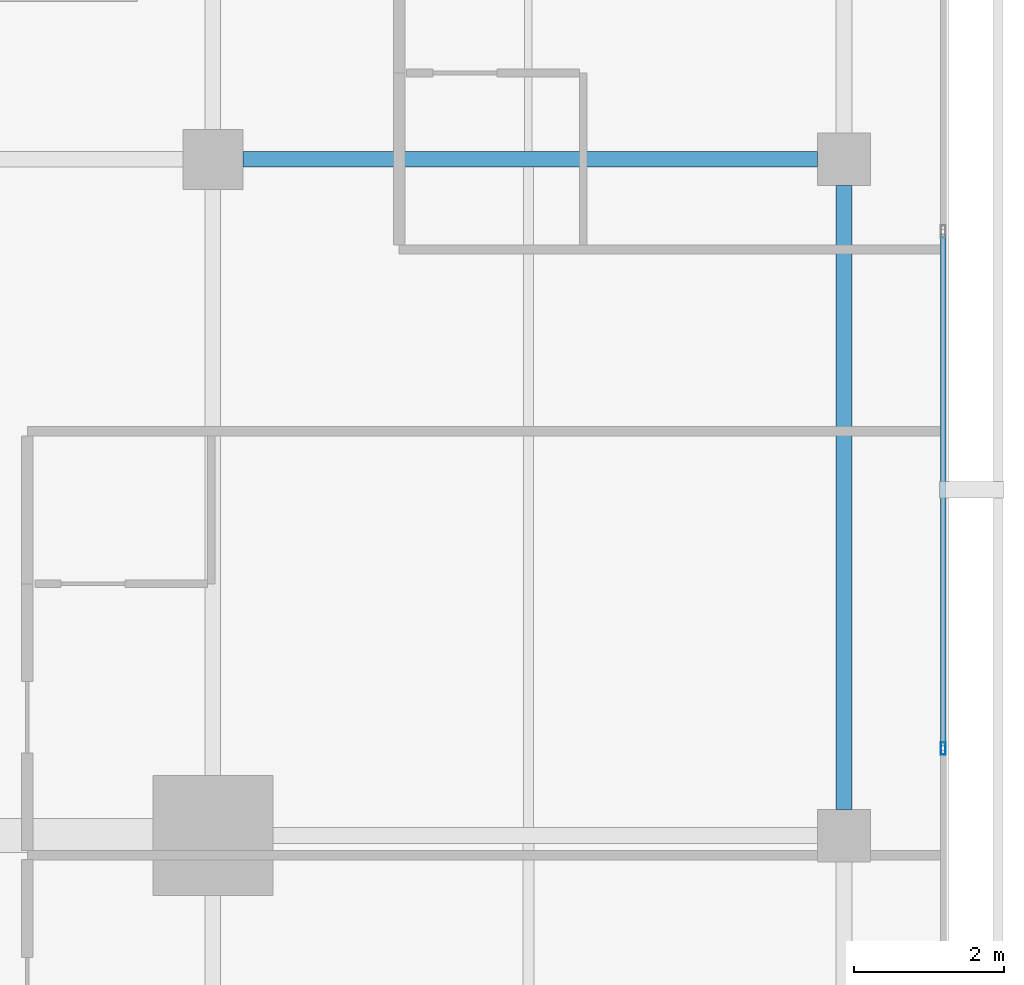
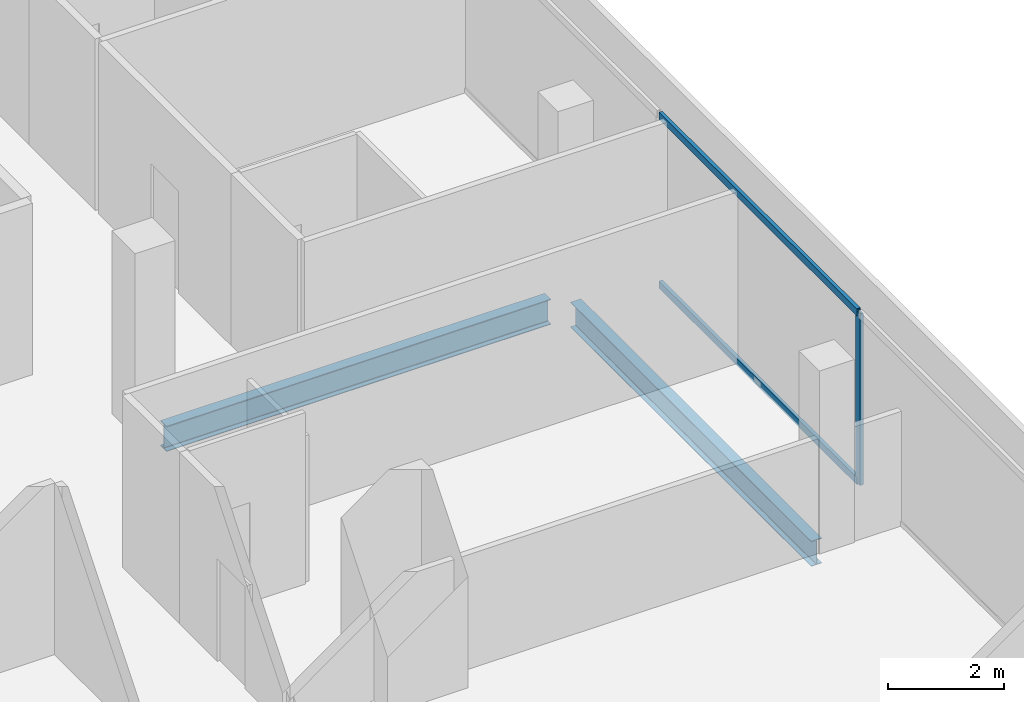
# One storey, part 14 of 25: 3 members, 2 beams, 1 element without a shape of its own.
"""IFC4 building model written with IfcOpenShell, lengths in metres."""

import ifcopenshell
import ifcopenshell.guid

model = None  # the IFC model being written
_history = None  # IfcOwnerHistory: only IFC2X3 demands one
_inside = {}  # id of a spatial element -> (the spatial element, [elements in it])
_under = {}  # id of a project, library or spatial element -> (it, [spatial elements below it])
_declared = {}  # id of a project -> (the project, [libraries it declares])
_typed = {}  # id of a type object -> (the type object, [elements of that type])
_made_of = {}  # id of a material, layer set ... -> (it, [elements and type objects made of it])


def new_model(schema):
    """Start an empty IFC model of exactly this schema.

    Asked for "IFC4X3", IfcOpenShell would pick the latest addendum, in which some entities
    have other attributes; the version numbers below select the first issue.
    IFC2X3 requires an IfcOwnerHistory on every rooted entity: one is made here for all.
    """
    global model, _history
    if schema == "IFC4X3":
        model = ifcopenshell.file(schema_version=(4, 3, 0, 0))
    else:
        model = ifcopenshell.file(schema=schema)
    _inside.clear()
    _under.clear()
    _declared.clear()
    _typed.clear()
    _made_of.clear()
    _history = None
    if model.schema == "IFC2X3":
        org = make("IfcOrganization", Name="unknown")
        user = make(
            "IfcPersonAndOrganization",
            ThePerson=make("IfcPerson", FamilyName="unknown"),
            TheOrganization=org,
        )
        app = make(
            "IfcApplication",
            ApplicationDeveloper=org,
            Version="unknown",
            ApplicationFullName="unknown",
            ApplicationIdentifier="unknown",
        )
        _history = make(
            "IfcOwnerHistory",
            OwningUser=user,
            OwningApplication=app,
            ChangeAction="ADDED",
            CreationDate=0,
        )
    return model


def make(cls, **values):
    """One entity of the class cls with the attributes given. An attribute that is None is left unset."""
    return model.create_entity(
        cls, **{name: value for name, value in values.items() if value is not None}
    )


def rooted(cls, **values):
    """An entity with a GlobalId (a new one), such as an element, a storey or a relation."""
    return make(cls, GlobalId=ifcopenshell.guid.new(), OwnerHistory=_history, **values)


def si_unit(unit_type, name, prefix=None):
    """IfcSIUnit, for example si_unit("LENGTHUNIT", "METRE", prefix="MILLI")."""
    return make("IfcSIUnit", UnitType=unit_type, Prefix=prefix, Name=name)


def assignment(units):
    """IfcUnitAssignment: the units of a project."""
    return None if units is None else make("IfcUnitAssignment", Units=units)


def point(xyz):
    """IfcCartesianPoint."""
    return None if xyz is None else make("IfcCartesianPoint", Coordinates=xyz)


def direction(xyz):
    """IfcDirection."""
    return None if xyz is None else make("IfcDirection", DirectionRatios=xyz)


def frame(location, z_axis=None, x_axis=None):
    """IfcAxis2Placement3D, a coordinate frame: its origin and axes. An axis left out is left unset."""
    return make(
        "IfcAxis2Placement3D",
        Location=point(location),
        Axis=direction(z_axis),
        RefDirection=direction(x_axis),
    )


def frame_2d(location, x_axis=None):
    """IfcAxis2Placement2D, a coordinate frame in the plane: its origin and x axis."""
    return make(
        "IfcAxis2Placement2D", Location=point(location), RefDirection=direction(x_axis)
    )


def origin():
    """The frame at (0, 0, 0) with its axes left unset."""
    return frame((0.0, 0.0, 0.0))


def origin_2d():
    """The frame at (0, 0) in the plane with its x axis left unset."""
    return frame_2d((0.0, 0.0))


def place(relative_to, where):
    """IfcLocalPlacement: puts the frame where relative to a parent placement (None: the world)."""
    return make(
        "IfcLocalPlacement", PlacementRelTo=relative_to, RelativePlacement=where
    )


def context(
    kind, dimensions, precision=None, world=None, true_north=None, identifier=None
):
    """IfcGeometricRepresentationContext, for example the 3D "Model" context."""
    return make(
        "IfcGeometricRepresentationContext",
        ContextIdentifier=identifier,
        ContextType=kind,
        CoordinateSpaceDimension=dimensions,
        Precision=precision,
        WorldCoordinateSystem=world,
        TrueNorth=true_north,
    )


def subcontext(parent, identifier, kind, view, scale=None):
    """IfcGeometricRepresentationSubContext, for example "Body" below "Model"."""
    return make(
        "IfcGeometricRepresentationSubContext",
        ContextIdentifier=identifier,
        ContextType=kind,
        ParentContext=parent,
        TargetScale=scale,
        TargetView=view,
    )


def project(units=None, contexts=None):
    """IfcProject with its units and contexts."""
    return rooted(
        "IfcProject",
        Name="project",
        RepresentationContexts=contexts,
        UnitsInContext=assignment(units),
    )


def spatial(cls, under=None, at=None, **own):
    """A site, building, storey or space (cls), placed at a placement, below another one or the project."""
    s = rooted(cls, ObjectPlacement=at, **own)
    if under is not None:
        _under.setdefault(under.id(), (under, []))[1].append(s)
    return s


def profile(cls, at=None, kind="AREA", **sizes):
    """A parametric profile (cls). Its sizes go by their IFC names, for example OverallWidth=200.0."""
    return make(cls, ProfileType=kind, Position=at, **sizes)


def hollow_rectangle(**sizes):
    """IfcRectangleHollowProfileDef."""
    return profile("IfcRectangleHollowProfileDef", **sizes)


def i_section(**sizes):
    """IfcIShapeProfileDef."""
    return profile("IfcIShapeProfileDef", **sizes)


def extrude(swept, where, along, depth):
    """IfcExtrudedAreaSolid: the profile swept, set in the frame where, extruded along a direction by depth."""
    return make(
        "IfcExtrudedAreaSolid",
        SweptArea=swept,
        Position=where,
        ExtrudedDirection=direction(along),
        Depth=depth,
    )


def shape(context_of_items, identifier, shape_type, items):
    """IfcShapeRepresentation: the items that make up one representation, for example the "Body"."""
    return make(
        "IfcShapeRepresentation",
        ContextOfItems=context_of_items,
        RepresentationIdentifier=identifier,
        RepresentationType=shape_type,
        Items=items,
    )


def material(Name=None, Category=None):
    """IfcMaterial."""
    return make("IfcMaterial", Name=Name, Category=Category)


def layer(
    of_material, thickness, ventilated=None, Name=None, Category=None, Priority=None
):
    """IfcMaterialLayer: one layer of a wall or slab, of a material (None: an air gap)."""
    return make(
        "IfcMaterialLayer",
        Material=of_material,
        LayerThickness=thickness,
        IsVentilated=ventilated,
        Name=Name,
        Category=Category,
        Priority=Priority,
    )


def layer_set(layers, Name=None):
    """IfcMaterialLayerSet."""
    return make("IfcMaterialLayerSet", MaterialLayers=layers, LayerSetName=Name)


def material_profile(
    of_material, cross_section, Name=None, Category=None, Priority=None
):
    """IfcMaterialProfile: a cross section and its material."""
    return make(
        "IfcMaterialProfile",
        Name=Name,
        Material=of_material,
        Profile=cross_section,
        Priority=Priority,
        Category=Category,
    )


def profile_set(profiles, Name=None, composite=None):
    """IfcMaterialProfileSet."""
    return make(
        "IfcMaterialProfileSet",
        Name=Name,
        MaterialProfiles=profiles,
        CompositeProfile=composite,
    )


def made_of(thing, what):
    """Note that an element or type object is made of a material, layer set ...; save() writes the relation."""
    if what is not None:
        _made_of.setdefault(what.id(), (what, []))[1].append(thing)
    return thing


def type_object(cls, material=None, **own):
    """A type object (cls), such as IfcWallType, which elements share."""
    return made_of(rooted(cls, **own), material)


def element(
    cls,
    number,
    at=None,
    inside=None,
    cuts=None,
    type_object=None,
    material=None,
    context=None,
    identifier="Body",
    shape_type=None,
    held_by="IfcProductDefinitionShape",
    body=None,
    shapes=None,
    **own,
):
    """One element of the class cls, such as IfcWall. Its Tag is "e" and its number.

    at: its placement. inside: the storey or other place that contains it. cuts: it is an
    opening in that element (IfcRelVoidsElement). A single representation is given by context,
    identifier, shape_type and body (its items); several are given by shapes. held_by: the class
    of the entity that holds the representations. save() writes the other relations.
    """
    e = rooted(cls, Tag="e%d" % number, ObjectPlacement=at, **own)
    if body is not None:
        shapes = [shape(context, identifier, shape_type, body)]
    if shapes is not None:
        e.Representation = make(held_by, Representations=shapes)
    if inside is not None:
        _inside.setdefault(inside.id(), (inside, []))[1].append(e)
    if cuts is not None:
        rooted(
            "IfcRelVoidsElement", RelatingBuildingElement=cuts, RelatedOpeningElement=e
        )
    if type_object is not None:
        _typed.setdefault(type_object.id(), (type_object, []))[1].append(e)
    return made_of(e, material)


def aggregate(whole, parts):
    """IfcRelAggregates: a whole, such as a stair, and the parts it consists of."""
    return rooted("IfcRelAggregates", RelatingObject=whole, RelatedObjects=parts)


def save(model, path):
    """Write the relations noted so far, then the file.

    IfcRelAggregates (storeys below a building ...), IfcRelContainedInSpatialStructure (elements
    in a storey), IfcRelDefinesByType, IfcRelAssociatesMaterial and IfcRelDeclares: one each for
    every whole, place, type object, material and project.
    """
    for whole, parts in _under.values():
        aggregate(whole, parts)
    for where, things in _inside.values():
        rooted(
            "IfcRelContainedInSpatialStructure",
            RelatedElements=things,
            RelatingStructure=where,
        )
    for kind, things in _typed.values():
        rooted("IfcRelDefinesByType", RelatedObjects=things, RelatingType=kind)
    for what, things in _made_of.values():
        rooted("IfcRelAssociatesMaterial", RelatedObjects=things, RelatingMaterial=what)
    for by, libraries in _declared.values():
        rooted("IfcRelDeclares", RelatingContext=by, RelatedDefinitions=libraries)
    model.write(path)


model = new_model("IFC4")

# Units and contexts
model_context = context("Model", 3, precision=1e-05, world=origin(), true_north=direction((0.0, 1.0)))
body_context = subcontext(model_context, "Body", "Model", "MODEL_VIEW")
ifc_project = project(units=[si_unit("LENGTHUNIT", "METRE"), si_unit("AREAUNIT", "SQUARE_METRE"), si_unit("VOLUMEUNIT", "CUBIC_METRE"), si_unit("PLANEANGLEUNIT", "RADIAN"), si_unit("MASSUNIT", "GRAM", prefix="KILO")], contexts=[model_context])

# Site, building, storey
site_placement = place(None, origin())
site = spatial("IfcSite", under=ifc_project, at=site_placement, CompositionType="ELEMENT")
building_placement = place(site_placement, origin())
building = spatial("IfcBuilding", under=site, at=building_placement, Name="Maruvema Waterfront Hotel and Observation Tower", CompositionType="ELEMENT")
storey_placement = place(building_placement, frame((0.0, 0.0, 247.10009765625)))
storey = spatial("IfcBuildingStorey", under=building, at=storey_placement, Name="L60", CompositionType="ELEMENT", Elevation=247.10009765625)

# Curtain wall, members
ifc_material_1 = material(Name="Anodised bronze aluminium and solar-control low-E IGU", Category="aluminium")
ifc_layer = layer(ifc_material_1, 0.159912109375, Name="Zone 3 Champagne Inner Thermal Curtain Wall System CW-04")
ifc_layer_set = layer_set([ifc_layer], Name="Anodised bronze aluminium and solar-control low-E IGU")
curtain_wall_type = type_object("IfcCurtainWallType", Name="Zone 3 Champagne Inner Thermal Curtain Wall System CW-04", PredefinedType="USERDEFINED", material=ifc_layer_set)
curtain_wall_placement = place(storey_placement, origin())
curtain_wall = element("IfcCurtainWall", 1, at=curtain_wall_placement, inside=storey, type_object=curtain_wall_type, Name="L60 Curtain Wall CW-L60-E", ObjectType="UNITISED CURTAIN WALL", PredefinedType="USERDEFINED")
ifc_material_2 = material(Name="Anodised architectural bronze aluminium", Category="aluminium")
ifc_material_profile_1 = material_profile(ifc_material_2, hollow_rectangle(XDim=0.070068359375, YDim=0.14990234375, WallThickness=0.00390625, at=origin_2d()), Name="ALU-T70x150")
ifc_profile_set_1 = profile_set([ifc_material_profile_1], Name="Anodised architectural bronze aluminium")
member_type_1 = type_object("IfcMemberType", Name="Curtain Wall Horizontal Transom ALU-T70x150", PredefinedType="USERDEFINED", material=ifc_profile_set_1)
member_1_placement = place(storey_placement, frame((60.1201171875, 28.18994140625, 0.02978515625), z_axis=(0.0, 1.0, 0.0), x_axis=(-1.0, 0.0, 0.0)))
member_1 = element("IfcMember", 2, at=member_1_placement, type_object=member_type_1, Name="CW-04 transom 3.1", ObjectType="TRANSOM", PredefinedType="USERDEFINED", context=body_context, shape_type="SweptSolid", body=[
    extrude(hollow_rectangle(XDim=0.070068359375, YDim=0.14990234375, WallThickness=0.00390625, at=origin_2d()), origin(), (0.0, 0.0, 1.0), 6.820068359375),
])
member_2_placement = place(storey_placement, frame((60.1201171875, 28.18994140625, 3.579833984375), z_axis=(0.0, 1.0, 0.0), x_axis=(-1.0, 0.0, 0.0)))
member_2 = element("IfcMember", 3, at=member_2_placement, type_object=member_type_1, Name="CW-04 transom 3.2", ObjectType="TRANSOM", PredefinedType="USERDEFINED", context=body_context, shape_type="SweptSolid", body=[
    extrude(hollow_rectangle(XDim=0.070068359375, YDim=0.14990234375, WallThickness=0.00390625, at=origin_2d()), origin(), (0.0, 0.0, 1.0), 6.820068359375),
])
ifc_material_3 = material(Name="Anodised architectural bronze aluminium", Category="aluminium")
ifc_material_profile_2 = material_profile(ifc_material_3, hollow_rectangle(XDim=0.06494140625, YDim=0.1650390625, WallThickness=0.00390625, at=origin_2d()), Name="ALU-M65x165")
ifc_profile_set_2 = profile_set([ifc_material_profile_2], Name="Anodised architectural bronze aluminium")
member_type_2 = type_object("IfcMemberType", Name="Curtain Wall Primary Mullion ALU-M65x165", PredefinedType="MULLION", material=ifc_profile_set_2)
member_3_placement = place(storey_placement, frame((60.1201171875, 28.159912109375, 0.0), z_axis=(0.0, 0.0, 1.0), x_axis=(-1.0, 0.0, 0.0)))
member_3 = element("IfcMember", 4, at=member_3_placement, type_object=member_type_2, Name="CW-04 mullion 3", PredefinedType="MULLION", context=body_context, shape_type="SweptSolid", body=[
    extrude(hollow_rectangle(XDim=0.06494140625, YDim=0.1650390625, WallThickness=0.00390625, at=origin_2d()), origin(), (0.0, 0.0, 1.0), 3.60986328125),
])
aggregate(curtain_wall, [member_3, member_1, member_2])

# Beams
ifc_material_4 = material(Name="Steel ASTM A572 Grade 50", Category="steel")
ifc_material_profile_3 = material_profile(ifc_material_4, i_section(OverallWidth=0.208984375, OverallDepth=0.532958984375, WebThickness=0.01025390625, FlangeThickness=0.015625, FilletRadius=0.014892578125, at=origin_2d()), Name="W530x92.0")
ifc_profile_set_3 = profile_set([ifc_material_profile_3], Name="Steel ASTM A572 Grade 50")
beam_type = type_object("IfcBeamType", Name="Primary Floor Girder W530x92.0", PredefinedType="BEAM", material=ifc_profile_set_3)
beam_1_placement = place(storey_placement, frame((50.800048828125, 36.0, -0.506591796875), z_axis=(1.0, 0.0, 0.0), x_axis=(0.0, 1.0, 0.0)))
element("IfcBeam", 5, at=beam_1_placement, inside=storey, type_object=beam_type, Name="L60 Floor Girder EW-16", PredefinedType="BEAM", context=body_context, shape_type="SweptSolid", body=[
    extrude(i_section(OverallWidth=0.208984375, OverallDepth=0.532958984375, WebThickness=0.01025390625, FlangeThickness=0.015625, FilletRadius=0.014892578125, at=origin_2d()), origin(), (0.0, 0.0, 1.0), 7.64990234375),
])
beam_2_placement = place(storey_placement, frame((58.800048828125, 27.35009765625, -0.506591796875), z_axis=(0.0, 1.0, 0.0), x_axis=(-1.0, 0.0, 0.0)))
element("IfcBeam", 6, at=beam_2_placement, inside=storey, type_object=beam_type, Name="L60 Floor Girder NS-17", PredefinedType="BEAM", context=body_context, shape_type="SweptSolid", body=[
    extrude(i_section(OverallWidth=0.208984375, OverallDepth=0.532958984375, WebThickness=0.01025390625, FlangeThickness=0.015625, FilletRadius=0.014892578125, at=origin_2d()), origin(), (0.0, 0.0, 1.0), 8.2998046875),
])

save(model, "model.ifc")
